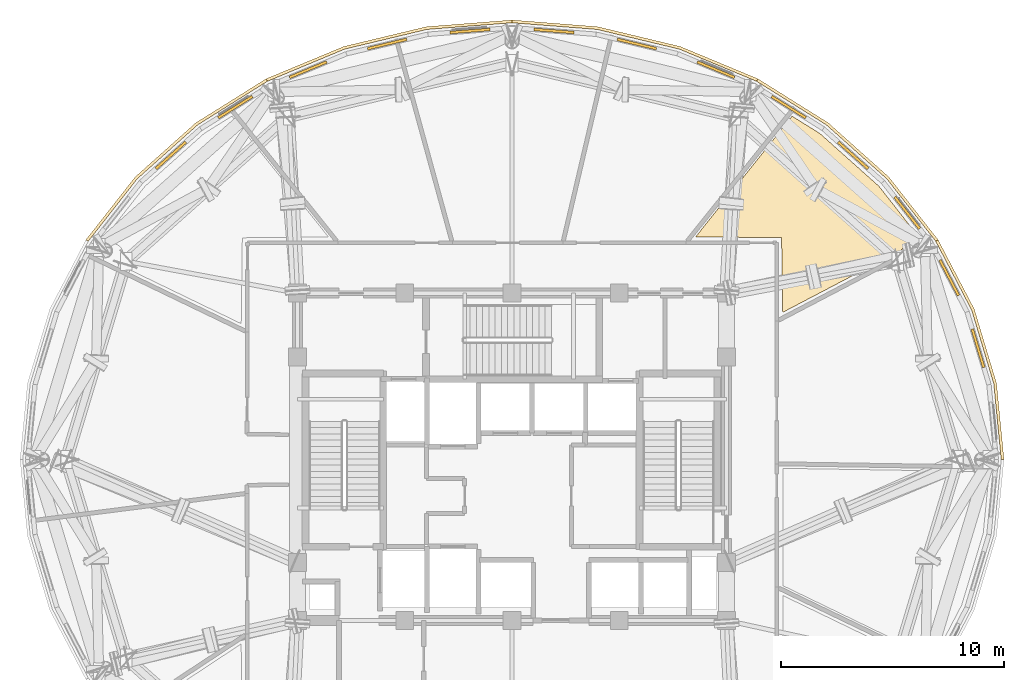
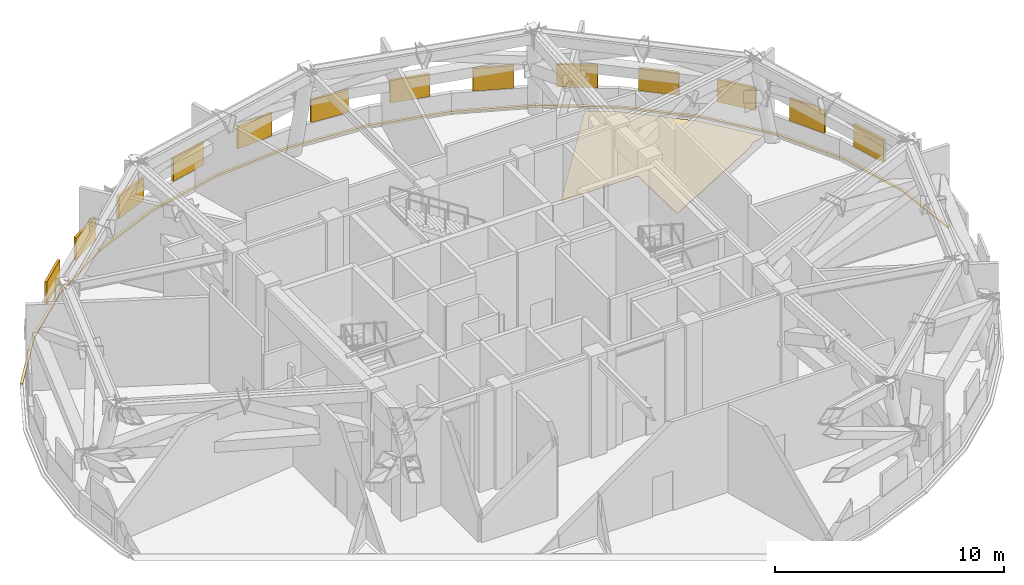
# One storey, part 13 of 13: 13 shading devices, 6 coverings.
"""IFC4 building model written with IfcOpenShell, lengths in metres."""

from ifc_helpers import new_model, si_unit, direction, frame, origin, origin_2d, place, context, subcontext, project, spatial, polyline, rectangle, outline, extrude, material, layer, layer_set, type_object, element, save


model = new_model("IFC4")

# Units and contexts
model_context = context("Model", 3, precision=1e-05, world=origin(), true_north=direction((0.0, 1.0)))
body_context = subcontext(model_context, "Body", "Model", "MODEL_VIEW")
ifc_project = project(units=[si_unit("LENGTHUNIT", "METRE"), si_unit("AREAUNIT", "SQUARE_METRE"), si_unit("VOLUMEUNIT", "CUBIC_METRE"), si_unit("PLANEANGLEUNIT", "RADIAN"), si_unit("MASSUNIT", "GRAM", prefix="KILO")], contexts=[model_context])

# Site, building, storey
site_placement = place(None, origin())
site = spatial("IfcSite", under=ifc_project, at=site_placement, CompositionType="ELEMENT")
building_placement = place(site_placement, origin())
building = spatial("IfcBuilding", under=site, at=building_placement, Name="Vantalir Tower", CompositionType="ELEMENT")
storey_placement = place(building_placement, frame((0.0, 0.0, 253.64990234375)))
storey = spatial("IfcBuildingStorey", under=building, at=storey_placement, Name="L64", CompositionType="ELEMENT", Elevation=253.64990234375)

# Coverings
ifc_material_1 = material(Name="Anodised champagne aluminium sill fascia", Category="aluminium")
ifc_layer_1 = layer(ifc_material_1, 0.125)
ifc_layer_set_1 = layer_set([ifc_layer_1], Name="Anodised champagne aluminium sill fascia")
covering_type_1 = type_object("IfcCoveringType", Name="COV-SLAB-FASCIA-125", PredefinedType="CLADDING", material=ifc_layer_set_1)
covering_1_placement = place(storey_placement, frame((0.0, 0.0, -0.179931640625)))
element("IfcCovering", 1, at=covering_1_placement, inside=storey, type_object=covering_type_1, Name="L64 Perimeter Slab-Edge Sill Fascia 01", PredefinedType="CLADDING", context=body_context, shape_type="SweptSolid", body=[
    extrude(outline(polyline([(53.52490234375, 25.0), (53.18994140625, 28.4169921875), (52.197021484375, 31.73095703125), (50.573974609375, 34.839111328125), (50.466064453125, 34.777099609375), (52.0791015625, 31.68798828125), (53.06689453125, 28.39599609375), (53.39990234375, 25.0), (53.52490234375, 25.0)])), origin(), (0.0, 0.0, 1.0), 0.10498046875),
])
covering_2_placement = place(storey_placement, frame((0.0, 0.0, -0.179931640625)))
element("IfcCovering", 2, at=covering_2_placement, inside=storey, type_object=covering_type_1, Name="L64 Perimeter Slab-Edge Sill Fascia 02", PredefinedType="CLADDING", context=body_context, shape_type="SweptSolid", body=[
    extrude(outline(polyline([(50.573974609375, 34.839111328125), (48.3720703125, 37.64892578125), (45.656982421875, 40.074951171875), (42.512939453125, 42.04296875), (42.449951171875, 41.93408203125), (45.576904296875, 39.97900390625), (48.27587890625, 37.569091796875), (50.466064453125, 34.777099609375), (50.573974609375, 34.839111328125)])), origin(), (0.0, 0.0, 1.0), 0.10498046875),
])
covering_3_placement = place(storey_placement, frame((0.0, 0.0, -0.179931640625)))
element("IfcCovering", 3, at=covering_3_placement, inside=storey, type_object=covering_type_1, Name="L64 Perimeter Slab-Edge Sill Fascia 03", PredefinedType="CLADDING", context=body_context, shape_type="SweptSolid", body=[
    extrude(outline(polyline([(42.512939453125, 42.04296875), (39.032958984375, 43.491943359375), (35.324951171875, 44.3798828125), (31.5, 44.678955078125), (31.5, 44.553955078125), (35.302978515625, 44.257080078125), (38.989990234375, 43.375), (42.449951171875, 41.93408203125), (42.512939453125, 42.04296875)])), origin(), (0.0, 0.0, 1.0), 0.10498046875),
])
covering_4_placement = place(storey_placement, frame((0.0, 0.0, -0.179931640625)))
element("IfcCovering", 4, at=covering_4_placement, inside=storey, type_object=covering_type_1, Name="L64 Perimeter Slab-Edge Sill Fascia 04", PredefinedType="CLADDING", context=body_context, shape_type="SweptSolid", body=[
    extrude(outline(polyline([(31.5, 44.678955078125), (27.675048828125, 44.3798828125), (23.967041015625, 43.491943359375), (20.488037109375, 42.04296875), (20.550048828125, 41.93408203125), (24.010009765625, 43.375), (27.697021484375, 44.257080078125), (31.5, 44.553955078125), (31.5, 44.678955078125)])), origin(), (0.0, 0.0, 1.0), 0.10498046875),
])
covering_5_placement = place(storey_placement, frame((0.0, 0.0, -0.179931640625)))
element("IfcCovering", 5, at=covering_5_placement, inside=storey, type_object=covering_type_1, Name="L64 Perimeter Slab-Edge Sill Fascia 05", PredefinedType="CLADDING", context=body_context, shape_type="SweptSolid", body=[
    extrude(outline(polyline([(20.488037109375, 42.04296875), (17.343017578125, 40.074951171875), (14.6279296875, 37.64892578125), (12.426025390625, 34.839111328125), (12.533935546875, 34.777099609375), (14.72412109375, 37.569091796875), (17.423095703125, 39.97900390625), (20.550048828125, 41.93408203125), (20.488037109375, 42.04296875)])), origin(), (0.0, 0.0, 1.0), 0.10498046875),
])
ifc_material_2 = material(Name="Tropical teak timber and terrazzo floor finish", Category="wood")
ifc_layer_2 = layer(ifc_material_2, 0.02490234375)
ifc_layer_set_2 = layer_set([ifc_layer_2], Name="Tropical teak timber and terrazzo floor finish")
covering_type_2 = type_object("IfcCoveringType", Name="COV-TIMBER-STONE-25", PredefinedType="FLOORING", material=ifc_layer_set_2)
covering_6_placement = place(storey_placement, origin())
element("IfcCovering", 6, at=covering_6_placement, inside=storey, type_object=covering_type_2, Name="L64 Plate Heat Exchanger Plant Room Floor Finish", PredefinedType="FLOORING", context=body_context, shape_type="SweptSolid", body=[
    extrude(outline(polyline([(44.0390625, 40.3740234375), (39.722900390625, 34.971923828125), (43.568115234375, 34.93505859375), (43.62109375, 31.591064453125), (48.949951171875, 34.387939453125), (48.9619140625, 34.4150390625), (48.987060546875, 34.4560546875), (49.014892578125, 34.492919921875), (49.0458984375, 34.528076171875), (49.0810546875, 34.55908203125), (49.117919921875, 34.5869140625), (49.158935546875, 34.612060546875), (49.200927734375, 34.632080078125), (49.2451171875, 34.64697265625), (49.291015625, 34.658935546875), (49.3369140625, 34.666015625), (49.384033203125, 34.66796875), (49.430908203125, 34.666015625), (49.468017578125, 34.659912109375), (49.80810546875, 34.839111328125), (47.925048828125, 37.239013671875), (45.2880859375, 39.593994140625), (44.0390625, 40.3740234375)])), origin(), (0.0, 0.0, 1.0), 0.025146484375),
])

# Shading devices
ifc_material_3 = material(Name="Champagne-silver PVDF aluminium storm louvre", Category="aluminium")
ifc_layer_3 = layer(ifc_material_3, 0.1201171875)
ifc_layer_set_3 = layer_set([ifc_layer_3], Name="Champagne-silver PVDF aluminium storm louvre")
shading_device_type = type_object("IfcShadingDeviceType", Name="SHD-STORM-LOUVRE", PredefinedType="JALOUSIE", material=ifc_layer_set_3)
for number, where, z_axis, x_axis, name in (
    (7, (52.362060546875, 29.985107421875, 1.1162109375), (0.0, 0.0, 1.0), (-0.287678130011, 0.957727149826, 0.0), "L64 Acoustic Storm Louvre R02"),
    (8, (51.073974609375, 33.139892578125, 1.1162109375), (0.0, 0.0, 1.0), (-0.46362081457, 0.886033712845, 0.0), "L64 Acoustic Storm Louvre R03"),
    (9, (49.19189453125, 36.048095703125, 1.1162109375), (0.0, 0.0, 1.0), (-0.617406641008, 0.78664416329, 0.0), "L64 Acoustic Storm Louvre R04"),
    (10, (46.77197265625, 38.6201171875, 1.1162109375), (0.0, 0.0, 1.0), (-0.746313000263, 0.665595151454, 0.0), "L64 Acoustic Storm Louvre R05"),
    (11, (43.887939453125, 40.778076171875, 1.1162109375), (0.0, 0.0, 1.0), (-0.848242264745, 0.529608402785, 0.0), "L64 Acoustic Storm Louvre R06"),
    (12, (40.6279296875, 42.4560546875, 1.1162109375), (0.0, 0.0, 1.0), (-0.923371109364, 0.383908575566, 0.0), "L64 Acoustic Storm Louvre R07"),
    (13, (37.090087890625, 43.60400390625, 1.1162109375), (0.0, 0.0, 1.0), (-0.972630074699, 0.232359070819, 0.0), "L64 Acoustic Storm Louvre R08"),
    (14, (33.382080078125, 44.18701171875, 1.1162109375), (0.0, 0.0, 1.0), (-0.996965075661, 0.077850098982, 0.0), "L64 Acoustic Storm Louvre R09"),
    (15, (29.617919921875, 44.18701171875, 1.1162109375), (0.0, 0.0, 1.0), (-0.996965075661, -0.077850098982, 0.0), "L64 Acoustic Storm Louvre R10"),
    (16, (25.909912109375, 43.60400390625, 1.1162109375), (0.0, 0.0, 1.0), (-0.972630074699, -0.232359070819, 0.0), "L64 Acoustic Storm Louvre R11"),
    (17, (22.373046875, 42.4560546875, 1.1162109375), (0.0, 0.0, 1.0), (-0.923371109364, -0.383908575566, 0.0), "L64 Acoustic Storm Louvre R12"),
    (18, (19.112060546875, 40.778076171875, 1.1162109375), (0.0, 0.0, 1.0), (-0.848242264745, -0.529608402785, 0.0), "L64 Acoustic Storm Louvre R13"),
    (19, (16.22802734375, 38.6201171875, 1.1162109375), (0.0, 0.0, 1.0), (-0.746313000263, -0.665595151454, 0.0), "L64 Acoustic Storm Louvre R14"),
):
    element("IfcShadingDevice", number, at=place(storey_placement, frame(where, z_axis=z_axis, x_axis=x_axis)), inside=storey, type_object=shading_device_type, Name=name, PredefinedType="JALOUSIE", context=body_context, shape_type="SweptSolid", body=[
        extrude(rectangle(XDim=1.800048828125, YDim=0.1201171875, at=origin_2d()), origin(), (0.0, 0.0, 1.0), 1.199951171875),
    ])

save(model, "model.ifc")
